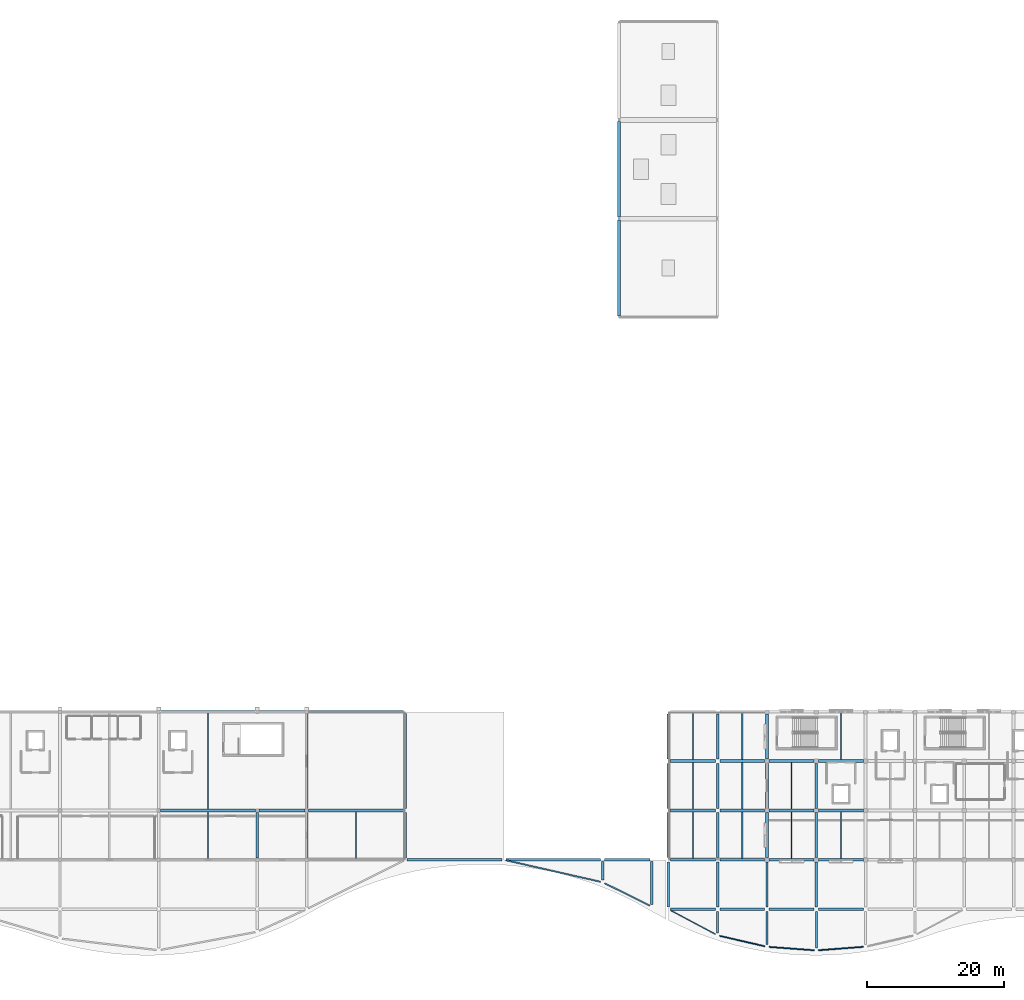
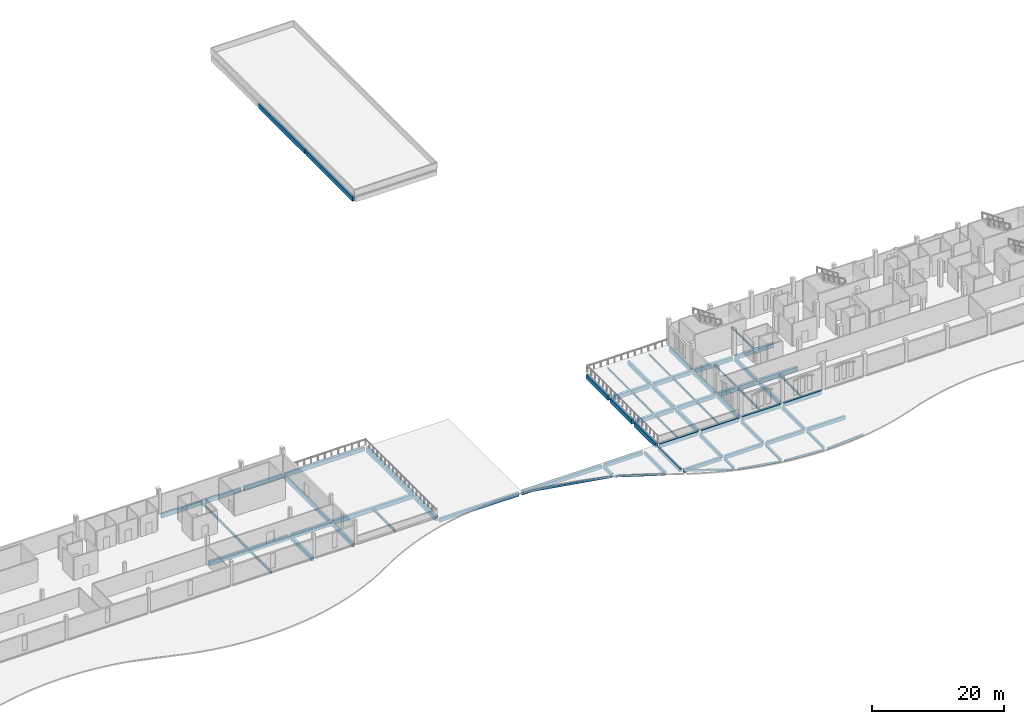
# One storey, part 3 of 23: 71 beams.
"""IFC4 building model written with IfcOpenShell, lengths in metres."""

from ifc_helpers import new_model, si_unit, direction, frame, origin, origin_2d, place, context, subcontext, project, spatial, rectangle, hollow_rectangle, i_section, extrude, material, material_profile, profile_set, type_object, element, save


model = new_model("IFC4")

# Units and contexts
model_context = context("Model", 3, precision=1e-05, world=origin(), true_north=direction((0.0, 1.0)))
body_context = subcontext(model_context, "Body", "Model", "MODEL_VIEW")
ifc_project = project(units=[si_unit("LENGTHUNIT", "METRE"), si_unit("AREAUNIT", "SQUARE_METRE"), si_unit("VOLUMEUNIT", "CUBIC_METRE"), si_unit("PLANEANGLEUNIT", "RADIAN"), si_unit("MASSUNIT", "GRAM", prefix="KILO")], contexts=[model_context])

# Site, building, storey
site_placement = place(None, origin())
site = spatial("IfcSite", under=ifc_project, at=site_placement, CompositionType="ELEMENT")
building_placement = place(site_placement, origin())
building = spatial("IfcBuilding", under=site, at=building_placement, Name="Cendralis Lancet Convention Centre", CompositionType="ELEMENT")
storey_placement = place(building_placement, frame((0.0, 0.0, 19.800048828125)))
storey = spatial("IfcBuildingStorey", under=building, at=storey_placement, Name="L04", CompositionType="ELEMENT", Elevation=19.800048828125)

# Beams
ifc_material_1 = material(Name="Concrete G35 (C35/45)", Category="concrete")
ifc_material_profile_1 = material_profile(ifc_material_1, rectangle(XDim=0.449951171875, YDim=0.800048828125, at=origin_2d()), Name="RCB 450x800")
ifc_profile_set_1 = profile_set([ifc_material_profile_1], Name="Concrete G35 (C35/45)")
beam_type_1 = type_object("IfcBeamType", Name="STR-BM-BG10", PredefinedType="BEAM", material=ifc_profile_set_1)
beam_1_placement = place(storey_placement, frame((57.875, 21.60009765625, -0.650146484375), z_axis=(1.0, 0.0, 0.0), x_axis=(0.0, 1.0, 0.0)))
element("IfcBeam", 1, at=beam_1_placement, inside=storey, type_object=beam_type_1, Name="L04 Beam BG10 #0987", PredefinedType="BEAM", context=body_context, shape_type="SweptSolid", body=[
    extrude(rectangle(XDim=0.449951171875, YDim=0.800048828125, at=origin_2d()), origin(), (0.0, 0.0, 1.0), 13.85009765625),
])
beam_2_placement = place(storey_placement, frame((72.27490234375, 21.60009765625, -0.650146484375), z_axis=(1.0, 0.0, 0.0), x_axis=(0.0, 1.0, 0.0)))
element("IfcBeam", 2, at=beam_2_placement, inside=storey, type_object=beam_type_1, Name="L04 Beam BG10 #0988", PredefinedType="BEAM", context=body_context, shape_type="SweptSolid", body=[
    extrude(rectangle(XDim=0.449951171875, YDim=0.800048828125, at=origin_2d()), origin(), (0.0, 0.0, 1.0), 6.650146484375),
])
beam_3_placement = place(storey_placement, frame((79.47509765625, 21.60009765625, -0.650146484375), z_axis=(1.0, 0.0, 0.0), x_axis=(0.0, 1.0, 0.0)))
element("IfcBeam", 3, at=beam_3_placement, inside=storey, type_object=beam_type_1, Name="L04 Beam BG10 #0989", PredefinedType="BEAM", context=body_context, shape_type="SweptSolid", body=[
    extrude(rectangle(XDim=0.449951171875, YDim=0.800048828125, at=origin_2d()), origin(), (0.0, 0.0, 1.0), 13.849853515625),
])
ifc_material_profile_2 = material_profile(ifc_material_1, rectangle(XDim=0.449951171875, YDim=0.75, at=origin_2d()), Name="RCB 450x750")
ifc_profile_set_2 = profile_set([ifc_material_profile_2], Name="Concrete G35 (C35/45)")
beam_type_2 = type_object("IfcBeamType", Name="STR-BM-BG11", PredefinedType="BEAM", material=ifc_profile_set_2)
for number, where, z_axis, x_axis, name in (
    (4, (132.324951171875, 21.60009765625, -0.625), (1.0, 0.0, 0.0), (0.0, 1.0, 0.0), "L04 Beam BG11 #0515"),
    (5, (139.52490234375, 21.60009765625, -0.625), (1.0, 0.0, 0.0), (0.0, 1.0, 0.0), "L04 Beam BG11 #0516"),
):
    element("IfcBeam", number, at=place(storey_placement, frame(where, z_axis=z_axis, x_axis=x_axis)), inside=storey, type_object=beam_type_2, Name=name, PredefinedType="BEAM", context=body_context, shape_type="SweptSolid", body=[
        extrude(rectangle(XDim=0.449951171875, YDim=0.75, at=origin_2d()), origin(), (0.0, 0.0, 1.0), 6.550048828125),
    ])
beam_4_placement = place(storey_placement, frame((146.72509765625, 21.60009765625, -0.625), z_axis=(1.0, 0.0, 0.0), x_axis=(0.0, 1.0, 0.0)))
element("IfcBeam", 6, at=beam_4_placement, inside=storey, type_object=beam_type_2, Name="L04 Beam BG11 #0517", PredefinedType="BEAM", context=body_context, shape_type="SweptSolid", body=[
    extrude(rectangle(XDim=0.449951171875, YDim=0.75, at=origin_2d()), origin(), (0.0, 0.0, 1.0), 6.5498046875),
])
for number, where, z_axis, x_axis, name in (
    (7, (153.925048828125, 21.60009765625, -0.625), (1.0, 0.0, 0.0), (0.0, 1.0, 0.0), "L04 Beam BG11 #0518"),
    (8, (132.324951171875, 28.800048828125, -0.625), (1.0, 0.0, 0.0), (0.0, 1.0, 0.0), "L04 Beam BG11 #0525"),
    (9, (139.52490234375, 28.800048828125, -0.625), (1.0, 0.0, 0.0), (0.0, 1.0, 0.0), "L04 Beam BG11 #0526"),
):
    element("IfcBeam", number, at=place(storey_placement, frame(where, z_axis=z_axis, x_axis=x_axis)), inside=storey, type_object=beam_type_2, Name=name, PredefinedType="BEAM", context=body_context, shape_type="SweptSolid", body=[
        extrude(rectangle(XDim=0.449951171875, YDim=0.75, at=origin_2d()), origin(), (0.0, 0.0, 1.0), 6.550048828125),
    ])
beam_5_placement = place(storey_placement, frame((146.72509765625, 28.800048828125, -0.625), z_axis=(1.0, 0.0, 0.0), x_axis=(0.0, 1.0, 0.0)))
element("IfcBeam", 10, at=beam_5_placement, inside=storey, type_object=beam_type_2, Name="L04 Beam BG11 #0527", PredefinedType="BEAM", context=body_context, shape_type="SweptSolid", body=[
    extrude(rectangle(XDim=0.449951171875, YDim=0.75, at=origin_2d()), origin(), (0.0, 0.0, 1.0), 6.5498046875),
])
beam_6_placement = place(storey_placement, frame((153.925048828125, 28.800048828125, -0.625), z_axis=(1.0, 0.0, 0.0), x_axis=(0.0, 1.0, 0.0)))
element("IfcBeam", 11, at=beam_6_placement, inside=storey, type_object=beam_type_2, Name="L04 Beam BG11 #0528", PredefinedType="BEAM", context=body_context, shape_type="SweptSolid", body=[
    extrude(rectangle(XDim=0.449951171875, YDim=0.75, at=origin_2d()), origin(), (0.0, 0.0, 1.0), 6.550048828125),
])
ifc_material_profile_3 = material_profile(ifc_material_1, rectangle(XDim=0.39990234375, YDim=0.699951171875, at=origin_2d()), Name="RCB 400x700")
ifc_profile_set_3 = profile_set([ifc_material_profile_3], Name="Concrete G35 (C35/45)")
beam_type_3 = type_object("IfcBeamType", Name="STR-BM-BG13", PredefinedType="BEAM", material=ifc_profile_set_3)
beam_7_placement = place(storey_placement, frame((139.199951171875, 14.72509765625, -0.60009765625), z_axis=(0.0, 1.0, 0.0), x_axis=(-1.0, 0.0, 0.0)))
element("IfcBeam", 12, at=beam_7_placement, inside=storey, type_object=beam_type_3, Name="L04 Beam BG13 #0548", PredefinedType="BEAM", context=body_context, shape_type="SweptSolid", body=[
    extrude(rectangle(XDim=0.39990234375, YDim=0.699951171875, at=origin_2d()), origin(), (0.0, 0.0, 1.0), 6.5498046875),
])
for number, where, z_axis, x_axis, name in (
    (13, (139.199951171875, 21.925048828125, -0.60009765625), (0.0, 1.0, 0.0), (-1.0, 0.0, 0.0), "L04 Beam BG13 #0549"),
    (14, (139.199951171875, 29.125, -0.60009765625), (0.0, 1.0, 0.0), (-1.0, 0.0, 0.0), "L04 Beam BG13 #0550"),
):
    element("IfcBeam", number, at=place(storey_placement, frame(where, z_axis=z_axis, x_axis=x_axis)), inside=storey, type_object=beam_type_3, Name=name, PredefinedType="BEAM", context=body_context, shape_type="SweptSolid", body=[
        extrude(rectangle(XDim=0.39990234375, YDim=0.699951171875, at=origin_2d()), origin(), (0.0, 0.0, 1.0), 6.550048828125),
    ])
beam_8_placement = place(storey_placement, frame((146.39990234375, 14.72509765625, -0.60009765625), z_axis=(0.0, 1.0, 0.0), x_axis=(-1.0, 0.0, 0.0)))
element("IfcBeam", 15, at=beam_8_placement, inside=storey, type_object=beam_type_3, Name="L04 Beam BG13 #0551", PredefinedType="BEAM", context=body_context, shape_type="SweptSolid", body=[
    extrude(rectangle(XDim=0.39990234375, YDim=0.699951171875, at=origin_2d()), origin(), (0.0, 0.0, 1.0), 6.5498046875),
])
for number, where, z_axis, x_axis, name in (
    (16, (146.39990234375, 21.925048828125, -0.60009765625), (0.0, 1.0, 0.0), (-1.0, 0.0, 0.0), "L04 Beam BG13 #0552"),
    (17, (146.39990234375, 29.125, -0.60009765625), (0.0, 1.0, 0.0), (-1.0, 0.0, 0.0), "L04 Beam BG13 #0553"),
):
    element("IfcBeam", number, at=place(storey_placement, frame(where, z_axis=z_axis, x_axis=x_axis)), inside=storey, type_object=beam_type_3, Name=name, PredefinedType="BEAM", context=body_context, shape_type="SweptSolid", body=[
        extrude(rectangle(XDim=0.39990234375, YDim=0.699951171875, at=origin_2d()), origin(), (0.0, 0.0, 1.0), 6.550048828125),
    ])
beam_9_placement = place(storey_placement, frame((153.60009765625, 14.72509765625, -0.60009765625), z_axis=(0.0, 1.0, 0.0), x_axis=(-1.0, 0.0, 0.0)))
element("IfcBeam", 18, at=beam_9_placement, inside=storey, type_object=beam_type_3, Name="L04 Beam BG13 #0554", PredefinedType="BEAM", context=body_context, shape_type="SweptSolid", body=[
    extrude(rectangle(XDim=0.39990234375, YDim=0.699951171875, at=origin_2d()), origin(), (0.0, 0.0, 1.0), 6.5498046875),
])
beam_10_placement = place(storey_placement, frame((153.60009765625, 21.925048828125, -0.60009765625), z_axis=(0.0, 1.0, 0.0), x_axis=(-1.0, 0.0, 0.0)))
element("IfcBeam", 19, at=beam_10_placement, inside=storey, type_object=beam_type_3, Name="L04 Beam BG13 #0555", PredefinedType="BEAM", context=body_context, shape_type="SweptSolid", body=[
    extrude(rectangle(XDim=0.39990234375, YDim=0.699951171875, at=origin_2d()), origin(), (0.0, 0.0, 1.0), 6.550048828125),
])
for number, where, z_axis, x_axis, name in (
    (20, (72.0, 14.675048828125, -0.60009765625), (0.0, 1.0, 0.0), (-1.0, 0.0, 0.0), "L04 Beam BG13 #1006"),
    (21, (79.199951171875, 14.675048828125, -0.60009765625), (0.0, 1.0, 0.0), (-1.0, 0.0, 0.0), "L04 Beam BG13 #1007"),
):
    element("IfcBeam", number, at=place(storey_placement, frame(where, z_axis=z_axis, x_axis=x_axis)), inside=storey, type_object=beam_type_3, Name=name, PredefinedType="BEAM", context=body_context, shape_type="SweptSolid", body=[
        extrude(rectangle(XDim=0.39990234375, YDim=0.699951171875, at=origin_2d()), origin(), (0.0, 0.0, 1.0), 6.64990234375),
    ])
beam_11_placement = place(storey_placement, frame((79.199951171875, 21.875, -0.60009765625), z_axis=(0.0, 1.0, 0.0), x_axis=(-1.0, 0.0, 0.0)))
element("IfcBeam", 22, at=beam_11_placement, inside=storey, type_object=beam_type_3, Name="L04 Beam BG13 #1008", PredefinedType="BEAM", context=body_context, shape_type="SweptSolid", body=[
    extrude(rectangle(XDim=0.39990234375, YDim=0.699951171875, at=origin_2d()), origin(), (0.0, 0.0, 1.0), 13.85009765625),
])
ifc_material_profile_4 = material_profile(ifc_material_1, rectangle(XDim=0.39990234375, YDim=0.64990234375, at=origin_2d()), Name="RCB 400x650")
ifc_profile_set_4 = profile_set([ifc_material_profile_4], Name="Concrete G35 (C35/45)")
beam_type_4 = type_object("IfcBeamType", Name="STR-BM-BG14", PredefinedType="BEAM", material=ifc_profile_set_4)
for number, where, z_axis, x_axis, name in (
    (23, (93.875, 14.39990234375, -0.89501953125), (1.0, 0.0, 0.0), (0.0, 1.0, 0.0), "L04 Beam BG14 #1153"),
    (24, (108.27490234375, 14.39990234375, -0.89501953125), (1.0, 0.0, 0.0), (0.0, 1.0, 0.0), "L04 Beam BG14 #1154"),
):
    element("IfcBeam", number, at=place(storey_placement, frame(where, z_axis=z_axis, x_axis=x_axis)), inside=storey, type_object=beam_type_4, Name=name, PredefinedType="BEAM", context=body_context, shape_type="SweptSolid", body=[
        extrude(rectangle(XDim=0.39990234375, YDim=0.64990234375, at=origin_2d()), origin(), (0.0, 0.0, 1.0), 13.85009765625),
    ])
beam_12_placement = place(storey_placement, frame((122.675048828125, 14.39990234375, -0.89501953125), z_axis=(1.0, 0.0, 0.0), x_axis=(0.0, 1.0, 0.0)))
element("IfcBeam", 25, at=beam_12_placement, inside=storey, type_object=beam_type_4, Name="L04 Beam BG14 #1155", PredefinedType="BEAM", context=body_context, shape_type="SweptSolid", body=[
    extrude(rectangle(XDim=0.39990234375, YDim=0.64990234375, at=origin_2d()), origin(), (0.0, 0.0, 1.0), 6.64990234375),
])
for number, where, z_axis, x_axis, name in (
    (26, (132.324951171875, 7.199951171875, -0.89501953125), (1.0, 0.0, 0.0), (0.0, 1.0, 0.0), "L04 Beam BG14 #1156"),
    (27, (139.52490234375, 7.199951171875, -0.89501953125), (1.0, 0.0, 0.0), (0.0, 1.0, 0.0), "L04 Beam BG14 #1157"),
):
    element("IfcBeam", number, at=place(storey_placement, frame(where, z_axis=z_axis, x_axis=x_axis)), inside=storey, type_object=beam_type_4, Name=name, PredefinedType="BEAM", context=body_context, shape_type="SweptSolid", body=[
        extrude(rectangle(XDim=0.39990234375, YDim=0.64990234375, at=origin_2d()), origin(), (0.0, 0.0, 1.0), 6.550048828125),
    ])
beam_13_placement = place(storey_placement, frame((146.72509765625, 7.199951171875, -0.89501953125), z_axis=(1.0, 0.0, 0.0), x_axis=(0.0, 1.0, 0.0)))
element("IfcBeam", 28, at=beam_13_placement, inside=storey, type_object=beam_type_4, Name="L04 Beam BG14 #1158", PredefinedType="BEAM", context=body_context, shape_type="SweptSolid", body=[
    extrude(rectangle(XDim=0.39990234375, YDim=0.64990234375, at=origin_2d()), origin(), (0.0, 0.0, 1.0), 6.5498046875),
])
beam_14_placement = place(storey_placement, frame((153.925048828125, 7.199951171875, -0.89501953125), z_axis=(1.0, 0.0, 0.0), x_axis=(0.0, 1.0, 0.0)))
element("IfcBeam", 29, at=beam_14_placement, inside=storey, type_object=beam_type_4, Name="L04 Beam BG14 #1159", PredefinedType="BEAM", context=body_context, shape_type="SweptSolid", body=[
    extrude(rectangle(XDim=0.39990234375, YDim=0.64990234375, at=origin_2d()), origin(), (0.0, 0.0, 1.0), 6.550048828125),
])
ifc_material_profile_5 = material_profile(ifc_material_1, rectangle(XDim=0.35009765625, YDim=0.64990234375, at=origin_2d()), Name="RCB 350x650")
ifc_profile_set_5 = profile_set([ifc_material_profile_5], Name="Concrete G35 (C35/45)")
beam_type_5 = type_object("IfcBeamType", Name="STR-BM-BG15", PredefinedType="BEAM", material=ifc_profile_set_5)
for number, where, z_axis, x_axis, name in (
    (30, (132.0, 7.52490234375, -0.89501953125), (0.0, 1.0, 0.0), (-1.0, 0.0, 0.0), "L04 Beam BG15 #1166"),
    (31, (139.199951171875, 7.52490234375, -0.89501953125), (0.0, 1.0, 0.0), (-1.0, 0.0, 0.0), "L04 Beam BG15 #1167"),
    (32, (146.39990234375, 7.52490234375, -0.89501953125), (0.0, 1.0, 0.0), (-1.0, 0.0, 0.0), "L04 Beam BG15 #1168"),
    (33, (153.60009765625, 7.52490234375, -0.89501953125), (0.0, 1.0, 0.0), (-1.0, 0.0, 0.0), "L04 Beam BG15 #1169"),
):
    element("IfcBeam", number, at=place(storey_placement, frame(where, z_axis=z_axis, x_axis=x_axis)), inside=storey, type_object=beam_type_5, Name=name, PredefinedType="BEAM", context=body_context, shape_type="SweptSolid", body=[
        extrude(rectangle(XDim=0.35009765625, YDim=0.64990234375, at=origin_2d()), origin(), (0.0, 0.0, 1.0), 6.550048828125),
    ])
ifc_material_profile_6 = material_profile(ifc_material_1, rectangle(XDim=0.35009765625, YDim=0.60009765625, at=origin_2d()), Name="RCB 350x600")
ifc_profile_set_6 = profile_set([ifc_material_profile_6], Name="Concrete G35 (C35/45)")
beam_type_6 = type_object("IfcBeamType", Name="STR-BM-BG16", PredefinedType="BEAM", material=ifc_profile_set_6)
beam_15_placement = place(storey_placement, frame((122.39990234375, 11.451904296875, -0.8701171875), z_axis=(0.0, 1.0, 0.0), x_axis=(-1.0, 0.0, 0.0)))
element("IfcBeam", 34, at=beam_15_placement, inside=storey, type_object=beam_type_6, Name="L04 Beam BG16 #1132", PredefinedType="BEAM", context=body_context, shape_type="SweptSolid", body=[
    extrude(rectangle(XDim=0.35009765625, YDim=0.60009765625, at=origin_2d()), origin(), (0.0, 0.0, 1.0), 2.673095703125),
])
beam_16_placement = place(storey_placement, frame((129.60009765625, 7.897705078125, -0.8701171875), z_axis=(0.0, 1.0, 0.0), x_axis=(-1.0, 0.0, 0.0)))
element("IfcBeam", 35, at=beam_16_placement, inside=storey, type_object=beam_type_6, Name="L04 Beam BG16 #1133", PredefinedType="BEAM", context=body_context, shape_type="SweptSolid", body=[
    extrude(rectangle(XDim=0.35009765625, YDim=0.60009765625, at=origin_2d()), origin(), (0.0, 0.0, 1.0), 6.227294921875),
])
ifc_material_2 = material(Name="Steel S355", Category="steel")
ifc_material_profile_7 = material_profile(ifc_material_2, i_section(OverallWidth=0.300048828125, OverallDepth=0.389892578125, WebThickness=0.010986328125, FlangeThickness=0.01904296875, FilletRadius=0.027099609375, at=origin_2d()), Name="HEA 400")
ifc_profile_set_7 = profile_set([ifc_material_profile_7], Name="Steel S355")
beam_type_7 = type_object("IfcBeamType", Name="STR-BM-SG14", PredefinedType="BEAM", material=ifc_profile_set_7)
beam_17_placement = place(storey_placement, frame((139.199951171875, 3.690673828125, -0.76513671875), z_axis=(0.0, 1.0, 0.0), x_axis=(-1.0, 0.0, 0.0)))
element("IfcBeam", 36, at=beam_17_placement, inside=storey, type_object=beam_type_7, Name="L04 Beam SG14 #1134", PredefinedType="BEAM", context=body_context, shape_type="SweptSolid", body=[
    extrude(i_section(OverallWidth=0.300048828125, OverallDepth=0.389892578125, WebThickness=0.010986328125, FlangeThickness=0.01904296875, FilletRadius=0.027099609375, at=origin_2d()), origin(), (0.0, 0.0, 1.0), 3.184326171875),
])
beam_18_placement = place(storey_placement, frame((146.39990234375, 2.03076171875, -0.76513671875), z_axis=(0.0, 1.0, 0.0), x_axis=(-1.0, 0.0, 0.0)))
element("IfcBeam", 37, at=beam_18_placement, inside=storey, type_object=beam_type_7, Name="L04 Beam SG14 #1135", PredefinedType="BEAM", context=body_context, shape_type="SweptSolid", body=[
    extrude(i_section(OverallWidth=0.300048828125, OverallDepth=0.389892578125, WebThickness=0.010986328125, FlangeThickness=0.01904296875, FilletRadius=0.027099609375, at=origin_2d()), origin(), (0.0, 0.0, 1.0), 4.84423828125),
])
beam_19_placement = place(storey_placement, frame((153.60009765625, 1.4951171875, -0.76513671875), z_axis=(0.0, 1.0, 0.0), x_axis=(-1.0, 0.0, 0.0)))
element("IfcBeam", 38, at=beam_19_placement, inside=storey, type_object=beam_type_7, Name="L04 Beam SG14 #1136", PredefinedType="BEAM", context=body_context, shape_type="SweptSolid", body=[
    extrude(i_section(OverallWidth=0.300048828125, OverallDepth=0.389892578125, WebThickness=0.010986328125, FlangeThickness=0.01904296875, FilletRadius=0.027099609375, at=origin_2d()), origin(), (0.0, 0.0, 1.0), 5.3798828125),
])
ifc_material_profile_8 = material_profile(ifc_material_2, i_section(OverallWidth=0.18994140625, OverallDepth=0.449951171875, WebThickness=0.009521484375, FlangeThickness=0.0146484375, FilletRadius=0.02099609375, at=origin_2d()), Name="IPE 450")
ifc_profile_set_8 = profile_set([ifc_material_profile_8], Name="Steel S355")
beam_type_8 = type_object("IfcBeamType", Name="STR-JS-BJ07", PredefinedType="JOIST", material=ifc_profile_set_8)
beam_20_placement = place(storey_placement, frame((64.800048828125, 14.574951171875, -0.47509765625), z_axis=(0.0, 1.0, 0.0), x_axis=(-1.0, 0.0, 0.0)))
element("IfcBeam", 39, at=beam_20_placement, inside=storey, type_object=beam_type_8, Name="L04 Beam BJ07 #1017", PredefinedType="JOIST", context=body_context, shape_type="SweptSolid", body=[
    extrude(i_section(OverallWidth=0.18994140625, OverallDepth=0.449951171875, WebThickness=0.009521484375, FlangeThickness=0.0146484375, FilletRadius=0.02099609375, at=origin_2d()), origin(), (0.0, 0.0, 1.0), 6.800048828125),
])
beam_21_placement = place(storey_placement, frame((64.800048828125, 21.824951171875, -0.47509765625), z_axis=(0.0, 1.0, 0.0), x_axis=(-1.0, 0.0, 0.0)))
element("IfcBeam", 40, at=beam_21_placement, inside=storey, type_object=beam_type_8, Name="L04 Beam BJ07 #1018", PredefinedType="JOIST", context=body_context, shape_type="SweptSolid", body=[
    extrude(i_section(OverallWidth=0.18994140625, OverallDepth=0.449951171875, WebThickness=0.009521484375, FlangeThickness=0.0146484375, FilletRadius=0.02099609375, at=origin_2d()), origin(), (0.0, 0.0, 1.0), 14.0),
])
beam_22_placement = place(storey_placement, frame((86.39990234375, 14.574951171875, -0.47509765625), z_axis=(0.0, 1.0, 0.0), x_axis=(-1.0, 0.0, 0.0)))
element("IfcBeam", 41, at=beam_22_placement, inside=storey, type_object=beam_type_8, Name="L04 Beam BJ07 #1019", PredefinedType="JOIST", context=body_context, shape_type="SweptSolid", body=[
    extrude(i_section(OverallWidth=0.18994140625, OverallDepth=0.449951171875, WebThickness=0.009521484375, FlangeThickness=0.0146484375, FilletRadius=0.02099609375, at=origin_2d()), origin(), (0.0, 0.0, 1.0), 6.800048828125),
])
ifc_material_profile_9 = material_profile(ifc_material_2, i_section(OverallWidth=0.169921875, OverallDepth=0.360107421875, WebThickness=0.008056640625, FlangeThickness=0.0126953125, FilletRadius=0.01806640625, at=origin_2d()), Name="IPE 360")
ifc_profile_set_9 = profile_set([ifc_material_profile_9], Name="Steel S355")
beam_type_9 = type_object("IfcBeamType", Name="STR-JS-BJ09", PredefinedType="JOIST", material=ifc_profile_set_9)
beam_23_placement = place(storey_placement, frame((135.60009765625, 14.574951171875, -0.429931640625), z_axis=(0.0, 1.0, 0.0), x_axis=(-1.0, 0.0, 0.0)))
element("IfcBeam", 42, at=beam_23_placement, inside=storey, type_object=beam_type_9, Name="L04 Beam BJ09 #0576", PredefinedType="JOIST", context=body_context, shape_type="SweptSolid", body=[
    extrude(i_section(OverallWidth=0.169921875, OverallDepth=0.360107421875, WebThickness=0.008056640625, FlangeThickness=0.0126953125, FilletRadius=0.01806640625, at=origin_2d()), origin(), (0.0, 0.0, 1.0), 6.800048828125),
])
beam_24_placement = place(storey_placement, frame((135.60009765625, 21.824951171875, -0.429931640625), z_axis=(0.0, 1.0, 0.0), x_axis=(-1.0, 0.0, 0.0)))
element("IfcBeam", 43, at=beam_24_placement, inside=storey, type_object=beam_type_9, Name="L04 Beam BJ09 #0577", PredefinedType="JOIST", context=body_context, shape_type="SweptSolid", body=[
    extrude(i_section(OverallWidth=0.169921875, OverallDepth=0.360107421875, WebThickness=0.008056640625, FlangeThickness=0.0126953125, FilletRadius=0.01806640625, at=origin_2d()), origin(), (0.0, 0.0, 1.0), 6.75),
])
for number, where, z_axis, x_axis, name in (
    (44, (135.60009765625, 29.02490234375, -0.429931640625), (0.0, 1.0, 0.0), (-1.0, 0.0, 0.0), "L04 Beam BJ09 #0578"),
    (45, (142.800048828125, 14.574951171875, -0.429931640625), (0.0, 1.0, 0.0), (-1.0, 0.0, 0.0), "L04 Beam BJ09 #0579"),
):
    element("IfcBeam", number, at=place(storey_placement, frame(where, z_axis=z_axis, x_axis=x_axis)), inside=storey, type_object=beam_type_9, Name=name, PredefinedType="JOIST", context=body_context, shape_type="SweptSolid", body=[
        extrude(i_section(OverallWidth=0.169921875, OverallDepth=0.360107421875, WebThickness=0.008056640625, FlangeThickness=0.0126953125, FilletRadius=0.01806640625, at=origin_2d()), origin(), (0.0, 0.0, 1.0), 6.800048828125),
    ])
beam_25_placement = place(storey_placement, frame((142.800048828125, 21.824951171875, -0.429931640625), z_axis=(0.0, 1.0, 0.0), x_axis=(-1.0, 0.0, 0.0)))
element("IfcBeam", 46, at=beam_25_placement, inside=storey, type_object=beam_type_9, Name="L04 Beam BJ09 #0580", PredefinedType="JOIST", context=body_context, shape_type="SweptSolid", body=[
    extrude(i_section(OverallWidth=0.169921875, OverallDepth=0.360107421875, WebThickness=0.008056640625, FlangeThickness=0.0126953125, FilletRadius=0.01806640625, at=origin_2d()), origin(), (0.0, 0.0, 1.0), 6.75),
])
for number, where, z_axis, x_axis, name in (
    (47, (142.800048828125, 29.02490234375, -0.429931640625), (0.0, 1.0, 0.0), (-1.0, 0.0, 0.0), "L04 Beam BJ09 #0581"),
    (48, (150.0, 14.574951171875, -0.429931640625), (0.0, 1.0, 0.0), (-1.0, 0.0, 0.0), "L04 Beam BJ09 #0582"),
):
    element("IfcBeam", number, at=place(storey_placement, frame(where, z_axis=z_axis, x_axis=x_axis)), inside=storey, type_object=beam_type_9, Name=name, PredefinedType="JOIST", context=body_context, shape_type="SweptSolid", body=[
        extrude(i_section(OverallWidth=0.169921875, OverallDepth=0.360107421875, WebThickness=0.008056640625, FlangeThickness=0.0126953125, FilletRadius=0.01806640625, at=origin_2d()), origin(), (0.0, 0.0, 1.0), 6.800048828125),
    ])
beam_26_placement = place(storey_placement, frame((150.0, 21.824951171875, -0.429931640625), z_axis=(0.0, 1.0, 0.0), x_axis=(-1.0, 0.0, 0.0)))
element("IfcBeam", 49, at=beam_26_placement, inside=storey, type_object=beam_type_9, Name="L04 Beam BJ09 #0583", PredefinedType="JOIST", context=body_context, shape_type="SweptSolid", body=[
    extrude(i_section(OverallWidth=0.169921875, OverallDepth=0.360107421875, WebThickness=0.008056640625, FlangeThickness=0.0126953125, FilletRadius=0.01806640625, at=origin_2d()), origin(), (0.0, 0.0, 1.0), 6.75),
])
for number, where, z_axis, x_axis, name in (
    (50, (157.199951171875, 14.574951171875, -0.429931640625), (0.0, 1.0, 0.0), (-1.0, 0.0, 0.0), "L04 Beam BJ09 #0584"),
    (51, (157.199951171875, 29.02490234375, -0.429931640625), (0.0, 1.0, 0.0), (-1.0, 0.0, 0.0), "L04 Beam BJ09 #0585"),
):
    element("IfcBeam", number, at=place(storey_placement, frame(where, z_axis=z_axis, x_axis=x_axis)), inside=storey, type_object=beam_type_9, Name=name, PredefinedType="JOIST", context=body_context, shape_type="SweptSolid", body=[
        extrude(i_section(OverallWidth=0.169921875, OverallDepth=0.360107421875, WebThickness=0.008056640625, FlangeThickness=0.0126953125, FilletRadius=0.01806640625, at=origin_2d()), origin(), (0.0, 0.0, 1.0), 6.800048828125),
    ])
ifc_material_3 = material(Name="Concrete G40 (C40/50)", Category="concrete")
ifc_material_profile_10 = material_profile(ifc_material_3, rectangle(XDim=0.35009765625, YDim=0.75, at=origin_2d()), Name="RCB 350x750")
ifc_profile_set_10 = profile_set([ifc_material_profile_10], Name="Concrete G40 (C40/50)")
beam_type_10 = type_object("IfcBeamType", Name="STR-SP-SP01", PredefinedType="SPANDREL", material=ifc_profile_set_10)
for number, where, z_axis, x_axis, name in (
    (52, (132.324951171875, 14.39990234375, -0.625), (1.0, 0.0, 0.0), (0.0, 1.0, 0.0), "L04 Beam SP01 #0505"),
    (53, (139.52490234375, 14.39990234375, -0.625), (1.0, 0.0, 0.0), (0.0, 1.0, 0.0), "L04 Beam SP01 #0506"),
):
    element("IfcBeam", number, at=place(storey_placement, frame(where, z_axis=z_axis, x_axis=x_axis)), inside=storey, type_object=beam_type_10, Name=name, PredefinedType="SPANDREL", context=body_context, shape_type="SweptSolid", body=[
        extrude(rectangle(XDim=0.35009765625, YDim=0.75, at=origin_2d()), origin(), (0.0, 0.0, 1.0), 6.550048828125),
    ])
beam_27_placement = place(storey_placement, frame((146.72509765625, 14.39990234375, -0.625), z_axis=(1.0, 0.0, 0.0), x_axis=(0.0, 1.0, 0.0)))
element("IfcBeam", 54, at=beam_27_placement, inside=storey, type_object=beam_type_10, Name="L04 Beam SP01 #0507", PredefinedType="SPANDREL", context=body_context, shape_type="SweptSolid", body=[
    extrude(rectangle(XDim=0.35009765625, YDim=0.75, at=origin_2d()), origin(), (0.0, 0.0, 1.0), 6.5498046875),
])
beam_28_placement = place(storey_placement, frame((153.925048828125, 14.39990234375, -0.625), z_axis=(1.0, 0.0, 0.0), x_axis=(0.0, 1.0, 0.0)))
element("IfcBeam", 55, at=beam_28_placement, inside=storey, type_object=beam_type_10, Name="L04 Beam SP01 #0508", PredefinedType="SPANDREL", context=body_context, shape_type="SweptSolid", body=[
    extrude(rectangle(XDim=0.35009765625, YDim=0.75, at=origin_2d()), origin(), (0.0, 0.0, 1.0), 6.550048828125),
])
beam_29_placement = place(storey_placement, frame((57.875, 36.0, -0.625), z_axis=(1.0, 0.0, 0.0), x_axis=(0.0, 1.0, 0.0)))
element("IfcBeam", 56, at=beam_29_placement, inside=storey, type_object=beam_type_10, Name="L04 Beam SP01 #0994", PredefinedType="SPANDREL", context=body_context, shape_type="SweptSolid", body=[
    extrude(rectangle(XDim=0.35009765625, YDim=0.75, at=origin_2d()), origin(), (0.0, 0.0, 1.0), 13.85009765625),
])
beam_30_placement = place(storey_placement, frame((72.27490234375, 36.0, -0.625), z_axis=(1.0, 0.0, 0.0), x_axis=(0.0, 1.0, 0.0)))
element("IfcBeam", 57, at=beam_30_placement, inside=storey, type_object=beam_type_10, Name="L04 Beam SP01 #0995", PredefinedType="SPANDREL", context=body_context, shape_type="SweptSolid", body=[
    extrude(rectangle(XDim=0.35009765625, YDim=0.75, at=origin_2d()), origin(), (0.0, 0.0, 1.0), 6.650146484375),
])
beam_31_placement = place(storey_placement, frame((79.47509765625, 36.0, -0.625), z_axis=(1.0, 0.0, 0.0), x_axis=(0.0, 1.0, 0.0)))
element("IfcBeam", 58, at=beam_31_placement, inside=storey, type_object=beam_type_10, Name="L04 Beam SP01 #0996", PredefinedType="SPANDREL", context=body_context, shape_type="SweptSolid", body=[
    extrude(rectangle(XDim=0.35009765625, YDim=0.75, at=origin_2d()), origin(), (0.0, 0.0, 1.0), 13.849853515625),
])
ifc_material_profile_11 = material_profile(ifc_material_3, rectangle(XDim=0.39990234375, YDim=0.85009765625, at=origin_2d()), Name="RCB 400x850")
ifc_profile_set_11 = profile_set([ifc_material_profile_11], Name="Concrete G40 (C40/50)")
beam_type_11 = type_object("IfcBeamType", Name="STR-SP-SP02", PredefinedType="SPANDREL", material=ifc_profile_set_11)
beam_32_placement = place(storey_placement, frame((132.0, 14.72509765625, -0.675048828125), z_axis=(0.0, 1.0, 0.0), x_axis=(-1.0, 0.0, 0.0)))
element("IfcBeam", 59, at=beam_32_placement, inside=storey, type_object=beam_type_11, Name="L04 Beam SP02 #0545", PredefinedType="SPANDREL", context=body_context, shape_type="SweptSolid", body=[
    extrude(rectangle(XDim=0.39990234375, YDim=0.85009765625, at=origin_2d()), origin(), (0.0, 0.0, 1.0), 6.5498046875),
])
for number, where, z_axis, x_axis, name in (
    (60, (132.0, 21.925048828125, -0.675048828125), (0.0, 1.0, 0.0), (-1.0, 0.0, 0.0), "L04 Beam SP02 #0546"),
    (61, (132.0, 29.125, -0.675048828125), (0.0, 1.0, 0.0), (-1.0, 0.0, 0.0), "L04 Beam SP02 #0547"),
):
    element("IfcBeam", number, at=place(storey_placement, frame(where, z_axis=z_axis, x_axis=x_axis)), inside=storey, type_object=beam_type_11, Name=name, PredefinedType="SPANDREL", context=body_context, shape_type="SweptSolid", body=[
        extrude(rectangle(XDim=0.39990234375, YDim=0.85009765625, at=origin_2d()), origin(), (0.0, 0.0, 1.0), 6.550048828125),
    ])
beam_33_placement = place(storey_placement, frame((93.60009765625, 14.675048828125, -0.675048828125), z_axis=(0.0, 1.0, 0.0), x_axis=(-1.0, 0.0, 0.0)))
element("IfcBeam", 62, at=beam_33_placement, inside=storey, type_object=beam_type_11, Name="L04 Beam SP02 #1009", PredefinedType="SPANDREL", context=body_context, shape_type="SweptSolid", body=[
    extrude(rectangle(XDim=0.39990234375, YDim=0.85009765625, at=origin_2d()), origin(), (0.0, 0.0, 1.0), 6.64990234375),
])
beam_34_placement = place(storey_placement, frame((93.60009765625, 21.875, -0.675048828125), z_axis=(0.0, 1.0, 0.0), x_axis=(-1.0, 0.0, 0.0)))
element("IfcBeam", 63, at=beam_34_placement, inside=storey, type_object=beam_type_11, Name="L04 Beam SP02 #1010", PredefinedType="SPANDREL", context=body_context, shape_type="SweptSolid", body=[
    extrude(rectangle(XDim=0.39990234375, YDim=0.85009765625, at=origin_2d()), origin(), (0.0, 0.0, 1.0), 13.85009765625),
])
for number, where, z_axis, x_axis, name in (
    (64, (124.800048828125, 93.824951171875, -0.675048828125), (0.0, 1.0, 0.0), (-1.0, 0.0, 0.0), "L04 Beam SP02 #1778"),
    (65, (124.800048828125, 108.22509765625, -0.675048828125), (0.0, 1.0, 0.0), (-1.0, 0.0, 0.0), "L04 Beam SP02 #1779"),
):
    element("IfcBeam", number, at=place(storey_placement, frame(where, z_axis=z_axis, x_axis=x_axis)), inside=storey, type_object=beam_type_11, Name=name, PredefinedType="SPANDREL", context=body_context, shape_type="SweptSolid", body=[
        extrude(rectangle(XDim=0.39990234375, YDim=0.85009765625, at=origin_2d()), origin(), (0.0, 0.0, 1.0), 13.949951171875),
    ])
ifc_material_profile_12 = material_profile(ifc_material_2, hollow_rectangle(XDim=0.199951171875, YDim=0.39990234375, WallThickness=0.01416015625, at=origin_2d()), Name="RHS 400x200x14.2")
ifc_profile_set_12 = profile_set([ifc_material_profile_12], Name="Steel S355")
beam_type_12 = type_object("IfcBeamType", Name="STR-SP-SP03", PredefinedType="SPANDREL", material=ifc_profile_set_12)
beam_35_placement = place(storey_placement, frame((108.268310546875, 14.339111328125, -0.77001953125), z_axis=(0.975126253346, -0.221650152347, 0.0), x_axis=(0.221650152347, 0.975126253346, 0.0)))
element("IfcBeam", 66, at=beam_35_placement, inside=storey, type_object=beam_type_12, Name="L04 Beam SP03 #1183", PredefinedType="SPANDREL", context=body_context, shape_type="SweptSolid", body=[
    extrude(hollow_rectangle(XDim=0.199951171875, YDim=0.39990234375, WallThickness=0.01416015625, at=origin_2d()), origin(), (0.0, 0.0, 1.0), 14.1669921875),
])
beam_36_placement = place(storey_placement, frame((122.69140625, 10.98291015625, -0.77001953125), z_axis=(0.896718004842, -0.442602326917, 0.0), x_axis=(0.442602326917, 0.896718004842, 0.0)))
element("IfcBeam", 67, at=beam_36_placement, inside=storey, type_object=beam_type_12, Name="L04 Beam SP03 #1184", PredefinedType="SPANDREL", context=body_context, shape_type="SweptSolid", body=[
    extrude(hollow_rectangle(XDim=0.199951171875, YDim=0.39990234375, WallThickness=0.01416015625, at=origin_2d()), origin(), (0.0, 0.0, 1.0), 7.37939453125),
])
ifc_material_profile_13 = material_profile(ifc_material_2, hollow_rectangle(XDim=0.14990234375, YDim=0.35009765625, WallThickness=0.012451171875, at=origin_2d()), Name="RHS 350x150x12.5")
ifc_profile_set_13 = profile_set([ifc_material_profile_13], Name="Steel S355")
beam_type_13 = type_object("IfcBeamType", Name="STR-SP-SP04", PredefinedType="SPANDREL", material=ifc_profile_set_13)
beam_37_placement = place(storey_placement, frame((132.286865234375, 7.047119140625, -0.7451171875), z_axis=(0.882652540524, -0.470026055348, 0.0), x_axis=(0.470026055348, 0.882652540524, 0.0)))
element("IfcBeam", 68, at=beam_37_placement, inside=storey, type_object=beam_type_13, Name="L04 Beam SP04 #1185", PredefinedType="SPANDREL", context=body_context, shape_type="SweptSolid", body=[
    extrude(hollow_rectangle(XDim=0.14990234375, YDim=0.35009765625, WallThickness=0.012451171875, at=origin_2d()), origin(), (0.0, 0.0, 1.0), 7.507080078125),
])
beam_38_placement = place(storey_placement, frame((139.5166015625, 3.292724609375, -0.7451171875), z_axis=(0.97443880011, -0.224653121147, 0.0), x_axis=(0.224653121147, 0.97443880011, 0.0)))
element("IfcBeam", 69, at=beam_38_placement, inside=storey, type_object=beam_type_13, Name="L04 Beam SP04 #1186", PredefinedType="SPANDREL", context=body_context, shape_type="SweptSolid", body=[
    extrude(hollow_rectangle(XDim=0.14990234375, YDim=0.35009765625, WallThickness=0.012451171875, at=origin_2d()), origin(), (0.0, 0.0, 1.0), 6.739013671875),
])
beam_39_placement = place(storey_placement, frame((146.72412109375, 1.681640625, -0.7451171875), z_axis=(0.997242653011, -0.074209777093, 0.0), x_axis=(0.074209777093, 0.997242653011, 0.0)))
element("IfcBeam", 70, at=beam_39_placement, inside=storey, type_object=beam_type_13, Name="L04 Beam SP04 #1187", PredefinedType="SPANDREL", context=body_context, shape_type="SweptSolid", body=[
    extrude(hollow_rectangle(XDim=0.14990234375, YDim=0.35009765625, WallThickness=0.012451171875, at=origin_2d()), origin(), (0.0, 0.0, 1.0), 6.56982421875),
])
beam_40_placement = place(storey_placement, frame((153.924072265625, 1.19482421875, -0.7451171875), z_axis=(0.997089351199, 0.076241889576, 0.0), x_axis=(-0.076241889576, 0.997089351199, 0.0)))
element("IfcBeam", 71, at=beam_40_placement, inside=storey, type_object=beam_type_13, Name="L04 Beam SP04 #1188", PredefinedType="SPANDREL", context=body_context, shape_type="SweptSolid", body=[
    extrude(hollow_rectangle(XDim=0.14990234375, YDim=0.35009765625, WallThickness=0.012451171875, at=origin_2d()), origin(), (0.0, 0.0, 1.0), 6.57080078125),
])

save(model, "model.ifc")
